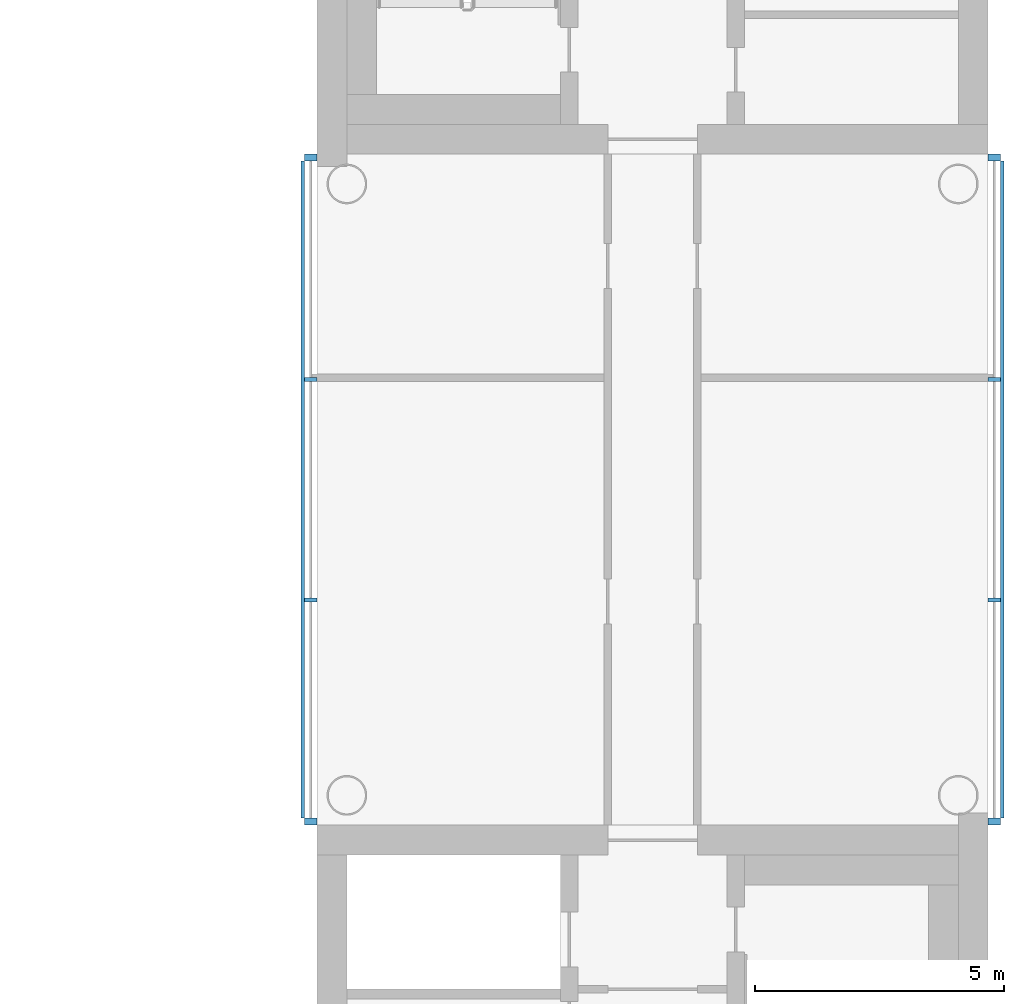
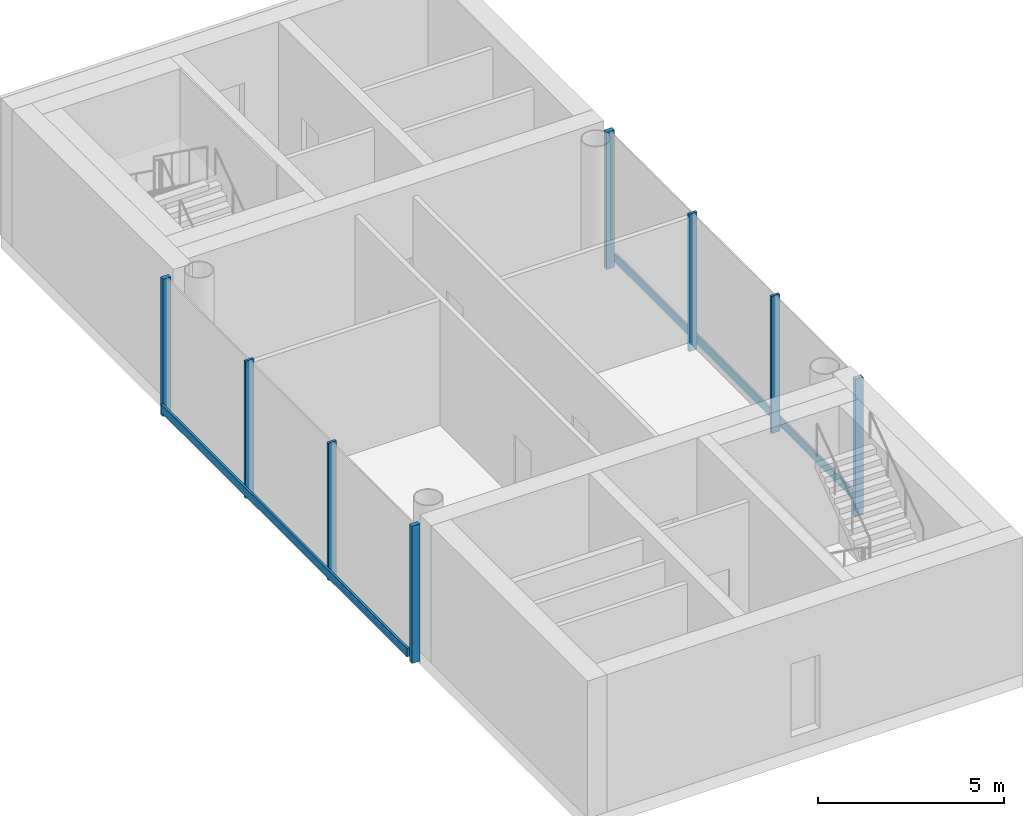
# One storey, part 3 of 12: 10 members, 2 elements without a shape of their own.
"""IFC4 building model written with IfcOpenShell, lengths in metres."""

from ifc_helpers import new_model, si_unit, direction, frame, origin, origin_2d, place, context, subcontext, project, spatial, rectangle, extrude, material, layer, layer_set, material_profile, profile_set, type_object, element, aggregate, save


model = new_model("IFC4")

# Units and contexts
model_context = context("Model", 3, precision=1e-05, world=origin(), true_north=direction((0.0, 1.0)))
body_context = subcontext(model_context, "Body", "Model", "MODEL_VIEW")
ifc_project = project(units=[si_unit("LENGTHUNIT", "METRE"), si_unit("AREAUNIT", "SQUARE_METRE"), si_unit("VOLUMEUNIT", "CUBIC_METRE"), si_unit("PLANEANGLEUNIT", "RADIAN"), si_unit("MASSUNIT", "GRAM", prefix="KILO")], contexts=[model_context])

# Site, building, storey
site_placement = place(None, origin())
site = spatial("IfcSite", under=ifc_project, at=site_placement, CompositionType="ELEMENT")
building_placement = place(site_placement, origin())
building = spatial("IfcBuilding", under=site, at=building_placement, Name="Ipe Terrace Towers", CompositionType="ELEMENT")
storey_placement = place(building_placement, frame((0.0, 0.0, 260.39990234375)))
storey = spatial("IfcBuildingStorey", under=building, at=storey_placement, Name="L71", CompositionType="ELEMENT", Elevation=260.39990234375)

# Curtain wall, members
ifc_material_1 = material(Name="Aluminium alloy 6063-T6", Category="aluminium")
ifc_layer = layer(ifc_material_1, 0.320068359375)
ifc_layer_set = layer_set([ifc_layer], Name="LANTERN CURTAIN WALL")
curtain_wall_type = type_object("IfcCurtainWallType", Name="LANTERN CURTAIN WALL", PredefinedType="NOTDEFINED", material=ifc_layer_set)
curtain_wall_1_placement = place(storey_placement, origin())
curtain_wall_1 = element("IfcCurtainWall", 1, at=curtain_wall_1_placement, inside=storey, type_object=curtain_wall_type, Name="T2-CW-L71-00b curtain wall", PredefinedType="NOTDEFINED")
ifc_material_2 = material(Name="Aluminium alloy 6063-T6", Category="aluminium")
ifc_material_profile_1 = material_profile(ifc_material_2, rectangle(XDim=0.25, YDim=0.139892578125, at=origin_2d()), Name="LANTERN CORNER MULLION 250 x 140")
ifc_profile_set_1 = profile_set([ifc_material_profile_1], Name="Aluminium alloy 6063-T6")
member_type_1 = type_object("IfcMemberType", Name="LANTERN CORNER MULLION 250 x 140", PredefinedType="MULLION", material=ifc_profile_set_1)
member_1_placement = place(storey_placement, frame((42.875, -6.678955078125, -0.2998046875), z_axis=(0.0, 0.0, 1.0), x_axis=(1.0, 0.0, 0.0)))
member_1 = element("IfcMember", 2, at=member_1_placement, type_object=member_type_1, Name="T2-CW-L71-00b mullion 1", PredefinedType="MULLION", context=body_context, shape_type="SweptSolid", body=[
    extrude(rectangle(XDim=0.25, YDim=0.139892578125, at=origin_2d()), origin(), (0.0, 0.0, 1.0), 4.5),
])
member_2_placement = place(storey_placement, frame((42.875, 6.678955078125, -0.2998046875), z_axis=(0.0, 0.0, 1.0), x_axis=(1.0, 0.0, 0.0)))
member_2 = element("IfcMember", 3, at=member_2_placement, type_object=member_type_1, Name="T2-CW-L71-00b mullion 4", PredefinedType="MULLION", context=body_context, shape_type="SweptSolid", body=[
    extrude(rectangle(XDim=0.25, YDim=0.139892578125, at=origin_2d()), origin(), (0.0, 0.0, 1.0), 4.5),
])

curtain_wall_2_placement = place(storey_placement, origin())
curtain_wall_2 = element("IfcCurtainWall", 4, at=curtain_wall_2_placement, inside=storey, type_object=curtain_wall_type, Name="T2-CW-L71-02b curtain wall", PredefinedType="NOTDEFINED")
member_3_placement = place(storey_placement, frame((29.125, 6.678955078125, -0.2998046875), z_axis=(0.0, 0.0, 1.0), x_axis=(-1.0, 0.0, 0.0)))
member_3 = element("IfcMember", 5, at=member_3_placement, type_object=member_type_1, Name="T2-CW-L71-02b mullion 1", PredefinedType="MULLION", context=body_context, shape_type="SweptSolid", body=[
    extrude(rectangle(XDim=0.25, YDim=0.139892578125, at=origin_2d()), origin(), (0.0, 0.0, 1.0), 4.5),
])
member_4_placement = place(storey_placement, frame((29.125, -6.678955078125, -0.2998046875), z_axis=(0.0, 0.0, 1.0), x_axis=(-1.0, 0.0, 0.0)))
member_4 = element("IfcMember", 6, at=member_4_placement, type_object=member_type_1, Name="T2-CW-L71-02b mullion 4", PredefinedType="MULLION", context=body_context, shape_type="SweptSolid", body=[
    extrude(rectangle(XDim=0.25, YDim=0.139892578125, at=origin_2d()), origin(), (0.0, 0.0, 1.0), 4.5),
])

# Member
ifc_material_3 = material(Name="Aluminium alloy 6063-T6", Category="aluminium")
ifc_material_profile_2 = material_profile(ifc_material_3, rectangle(XDim=0.25, YDim=0.080078125, at=origin_2d()), Name="LANTERN MULLION 250 x 80")
ifc_profile_set_2 = profile_set([ifc_material_profile_2], Name="Aluminium alloy 6063-T6")
member_type_2 = type_object("IfcMemberType", Name="LANTERN MULLION 250 x 80", PredefinedType="MULLION", material=ifc_profile_set_2)
member_5_placement = place(storey_placement, frame((42.875, -2.21630859375, -0.2998046875), z_axis=(0.0, 0.0, 1.0), x_axis=(1.0, 0.0, 0.0)))
member_5 = element("IfcMember", 7, at=member_5_placement, type_object=member_type_2, Name="T2-CW-L71-00b mullion 2", PredefinedType="MULLION", context=body_context, shape_type="SweptSolid", body=[
    extrude(rectangle(XDim=0.25, YDim=0.080078125, at=origin_2d()), origin(), (0.0, 0.0, 1.0), 4.5),
])

member_6_placement = place(storey_placement, frame((42.875, 2.21630859375, -0.2998046875), z_axis=(0.0, 0.0, 1.0), x_axis=(1.0, 0.0, 0.0)))
member_6 = element("IfcMember", 8, at=member_6_placement, type_object=member_type_2, Name="T2-CW-L71-00b mullion 3", PredefinedType="MULLION", context=body_context, shape_type="SweptSolid", body=[
    extrude(rectangle(XDim=0.25, YDim=0.080078125, at=origin_2d()), origin(), (0.0, 0.0, 1.0), 4.5),
])

member_7_placement = place(storey_placement, frame((29.125, 2.21630859375, -0.2998046875), z_axis=(0.0, 0.0, 1.0), x_axis=(-1.0, 0.0, 0.0)))
member_7 = element("IfcMember", 9, at=member_7_placement, type_object=member_type_2, Name="T2-CW-L71-02b mullion 2", PredefinedType="MULLION", context=body_context, shape_type="SweptSolid", body=[
    extrude(rectangle(XDim=0.25, YDim=0.080078125, at=origin_2d()), origin(), (0.0, 0.0, 1.0), 4.5),
])

member_8_placement = place(storey_placement, frame((29.125, -2.21630859375, -0.2998046875), z_axis=(0.0, 0.0, 1.0), x_axis=(-1.0, 0.0, 0.0)))
member_8 = element("IfcMember", 10, at=member_8_placement, type_object=member_type_2, Name="T2-CW-L71-02b mullion 3", PredefinedType="MULLION", context=body_context, shape_type="SweptSolid", body=[
    extrude(rectangle(XDim=0.25, YDim=0.080078125, at=origin_2d()), origin(), (0.0, 0.0, 1.0), 4.5),
])

ifc_material_4 = material(Name="Aluminium alloy 6063-T6", Category="aluminium")
ifc_material_profile_3 = material_profile(ifc_material_4, rectangle(XDim=0.070068359375, YDim=0.280029296875, at=origin_2d()), Name="LANTERN TRANSOM 70 x 280")
ifc_profile_set_3 = profile_set([ifc_material_profile_3], Name="Aluminium alloy 6063-T6")
member_type_3 = type_object("IfcMemberType", Name="LANTERN TRANSOM 70 x 280", PredefinedType="USERDEFINED", material=ifc_profile_set_3)
member_9_placement = place(storey_placement, frame((43.034912109375, -6.60888671875, 0.0), z_axis=(0.0, 1.0, 0.0), x_axis=(1.0, 0.0, 0.0)))
member_9 = element("IfcMember", 11, at=member_9_placement, type_object=member_type_3, Name="T2-CW-L71-00b transom", ObjectType="TRANSOM", PredefinedType="USERDEFINED", context=body_context, shape_type="SweptSolid", body=[
    extrude(rectangle(XDim=0.070068359375, YDim=0.280029296875, at=origin_2d()), origin(), (0.0, 0.0, 1.0), 13.2177734375),
])

aggregate(curtain_wall_1, [member_1, member_5, member_6, member_2, member_9])

member_10_placement = place(storey_placement, frame((28.965087890625, 6.60888671875, 0.0), z_axis=(0.0, -1.0, 0.0), x_axis=(-1.0, 0.0, 0.0)))
member_10 = element("IfcMember", 12, at=member_10_placement, type_object=member_type_3, Name="T2-CW-L71-02b transom", ObjectType="TRANSOM", PredefinedType="USERDEFINED", context=body_context, shape_type="SweptSolid", body=[
    extrude(rectangle(XDim=0.070068359375, YDim=0.280029296875, at=origin_2d()), origin(), (0.0, 0.0, 1.0), 13.2177734375),
])

aggregate(curtain_wall_2, [member_3, member_7, member_8, member_4, member_10])

save(model, "model.ifc")
